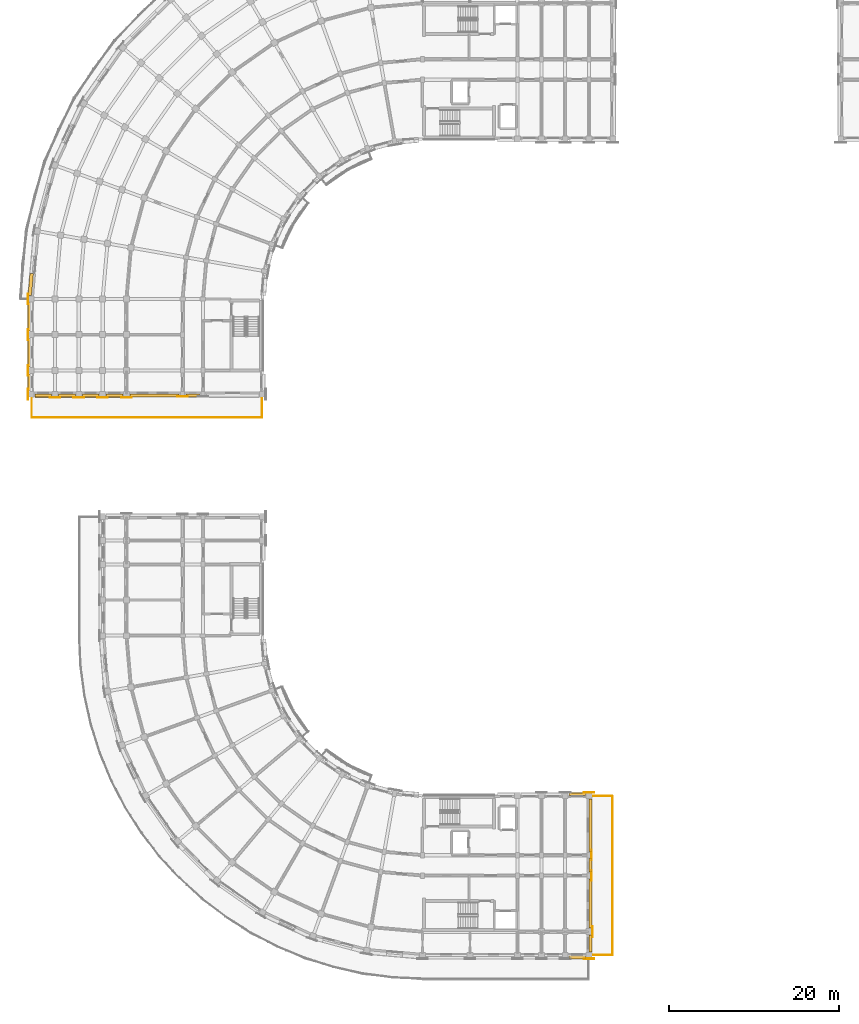
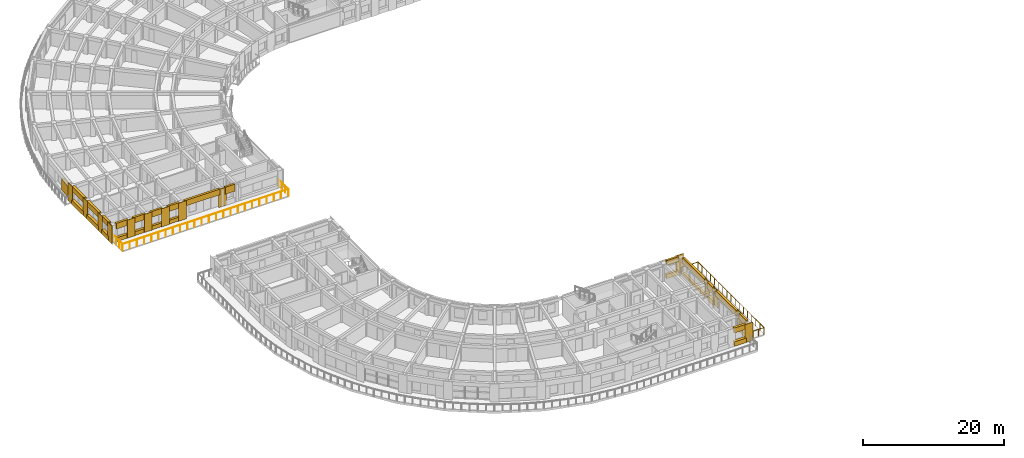
# One storey, part 43 of 54: 42 coverings, 2 railings.
"""IFC4 building model written with IfcOpenShell, lengths in metres."""

from ifc_helpers import new_model, si_unit, direction, frame, origin, origin_2d, place, context, subcontext, project, spatial, polyline, circle, outline, extrude, material, layer, layer_set, type_object, element, save


model = new_model("IFC4")

# Units and contexts
model_context = context("Model", 3, precision=1e-05, world=origin(), true_north=direction((0.0, 1.0)))
body_context = subcontext(model_context, "Body", "Model", "MODEL_VIEW")
ifc_project = project(units=[si_unit("LENGTHUNIT", "METRE"), si_unit("AREAUNIT", "SQUARE_METRE"), si_unit("VOLUMEUNIT", "CUBIC_METRE"), si_unit("PLANEANGLEUNIT", "RADIAN"), si_unit("MASSUNIT", "GRAM", prefix="KILO")], contexts=[model_context])

# Site, building, storey
site_placement = place(None, origin())
site = spatial("IfcSite", under=ifc_project, at=site_placement, CompositionType="ELEMENT")
building_placement = place(site_placement, origin())
building = spatial("IfcBuilding", under=site, at=building_placement, Name="Kiranvali Square Residences", CompositionType="ELEMENT")
storey_placement = place(building_placement, frame((0.0, 0.0, 27.60009765625)))
storey = spatial("IfcBuildingStorey", under=building, at=storey_placement, Name="L08", CompositionType="ELEMENT", Elevation=27.60009765625)

# Coverings
ifc_material_1 = material(Name="Honed Porbandar limestone ashlar facade cladding", Category="masonry")
ifc_layer_1 = layer(ifc_material_1, 0.3798828125)
ifc_layer_set_1 = layer_set([ifc_layer_1], Name="Honed Porbandar limestone ashlar facade cladding")
covering_type_1 = type_object("IfcCoveringType", Name="COV-CLAD-JAMB", PredefinedType="CLADDING", material=ifc_layer_set_1)
covering_1_placement = place(storey_placement, frame((0.0, 0.0, 0.421875)))
element("IfcCovering", 1, at=covering_1_placement, inside=storey, type_object=covering_type_1, Name="L08 deep limestone window jamb reveal A-L08-CRV-08.R", PredefinedType="CLADDING", context=body_context, shape_type="SweptSolid", body=[
    extrude(outline(polyline([(2.0517578125, 90.80859375), (1.826416015625, 88.234130859375), (2.234375, 88.198486328125), (2.45947265625, 90.77294921875), (2.0517578125, 90.80859375)])), origin(), (0.0, 0.0, 1.0), 1.85009765625),
])
ifc_layer_2 = layer(ifc_material_1, 0.06494140625)
ifc_layer_set_2 = layer_set([ifc_layer_2], Name="Honed Porbandar limestone ashlar facade cladding")
covering_type_2 = type_object("IfcCoveringType", Name="COV-CLAD-PIER", PredefinedType="CLADDING", material=ifc_layer_set_2)
covering_2_placement = place(storey_placement, frame((0.0, 0.0, 0.0048828125)))
element("IfcCovering", 2, at=covering_2_placement, inside=storey, type_object=covering_type_2, Name="L08 Classical limestone corner pilaster CLAD-PR-A-L08-A09", PredefinedType="CLADDING", context=body_context, shape_type="SweptSolid", body=[
    extrude(outline(polyline([(1.781982421875, 88.429931640625), (1.781982421875, 87.169921875), (1.849609375, 87.169921875), (1.849609375, 88.429931640625), (1.781982421875, 88.429931640625)])), origin(), (0.0, 0.0, 1.0), 3.14013671875),
])
ifc_layer_3 = layer(ifc_material_1, 0.050048828125)
ifc_layer_set_3 = layer_set([ifc_layer_3], Name="Honed Porbandar limestone ashlar facade cladding")
covering_type_3 = type_object("IfcCoveringType", Name="COV-CLAD-PIER-IN", PredefinedType="CLADDING", material=ifc_layer_set_3)
covering_3_placement = place(storey_placement, frame((0.0, 0.0, 0.0048828125)))
element("IfcCovering", 3, at=covering_3_placement, inside=storey, type_object=covering_type_3, Name="L08 Classical limestone pilaster casing CLAD-PRA1I-C-L08-U195", PredefinedType="CLADDING", context=body_context, shape_type="SweptSolid", body=[
    extrude(outline(polyline([(67.169921875, 29.75048828125), (68.429931640625, 29.75048828125), (68.429931640625, 29.818115234375), (67.169921875, 29.818115234375), (67.169921875, 29.75048828125)])), origin(), (0.0, 0.0, 1.0), 3.14013671875),
])
ifc_layer_4 = layer(ifc_material_1, 0.054931640625)
ifc_layer_set_4 = layer_set([ifc_layer_4], Name="Honed Porbandar limestone ashlar facade cladding")
covering_type_4 = type_object("IfcCoveringType", Name="COV-CLAD-PIER-UP", PredefinedType="CLADDING", material=ifc_layer_set_4)
covering_4_placement = place(storey_placement, frame((0.0, 0.0, 0.0048828125)))
element("IfcCovering", 4, at=covering_4_placement, inside=storey, type_object=covering_type_4, Name="L08 Classical limestone pilaster casing CLAD-PR-A-L08-V42", PredefinedType="CLADDING", context=body_context, shape_type="SweptSolid", body=[
    extrude(outline(polyline([(1.781982421875, 84.22998046875), (1.781982421875, 82.969970703125), (1.849609375, 82.969970703125), (1.849609375, 84.22998046875), (1.781982421875, 84.22998046875)])), origin(), (0.0, 0.0, 1.0), 3.14013671875),
])
covering_5_placement = place(storey_placement, frame((0.0, 0.0, 0.0048828125)))
element("IfcCovering", 5, at=covering_5_placement, inside=storey, type_object=covering_type_4, Name="L08 Classical limestone pilaster casing CLAD-PR-A-L08-V84", PredefinedType="CLADDING", context=body_context, shape_type="SweptSolid", body=[
    extrude(outline(polyline([(1.781982421875, 80.030029296875), (1.781982421875, 78.77001953125), (1.849609375, 78.77001953125), (1.849609375, 80.030029296875), (1.781982421875, 80.030029296875)])), origin(), (0.0, 0.0, 1.0), 3.14013671875),
])
covering_6_placement = place(storey_placement, frame((0.0, 0.0, 0.0048828125)))
element("IfcCovering", 6, at=covering_6_placement, inside=storey, type_object=covering_type_4, Name="L08 Classical limestone pilaster casing CLAD-PR-A-L08-V112", PredefinedType="CLADDING", context=body_context, shape_type="SweptSolid", body=[
    extrude(outline(polyline([(1.781982421875, 77.22998046875), (1.781982421875, 75.969970703125), (1.849609375, 75.969970703125), (1.849609375, 77.22998046875), (1.781982421875, 77.22998046875)])), origin(), (0.0, 0.0, 1.0), 3.14013671875),
])
covering_7_placement = place(storey_placement, frame((0.0, 0.0, 0.0048828125)))
element("IfcCovering", 7, at=covering_7_placement, inside=storey, type_object=covering_type_4, Name="L08 Classical limestone pilaster casing CLAD-PRA2E-A-L08-R282", PredefinedType="CLADDING", context=body_context, shape_type="SweptSolid", body=[
    extrude(outline(polyline([(20.6298828125, 76.349609375), (19.3701171875, 76.349609375), (19.3701171875, 76.281982421875), (20.6298828125, 76.281982421875), (20.6298828125, 76.349609375)])), origin(), (0.0, 0.0, 1.0), 3.14013671875),
])
covering_8_placement = place(storey_placement, frame((0.0, 0.0, 0.0048828125)))
element("IfcCovering", 8, at=covering_8_placement, inside=storey, type_object=covering_type_4, Name="L08 Classical limestone pilaster casing CLAD-PRA2E-A-L08-R348", PredefinedType="CLADDING", context=body_context, shape_type="SweptSolid", body=[
    extrude(outline(polyline([(14.030029296875, 76.24951171875), (12.77001953125, 76.24951171875), (12.77001953125, 76.181884765625), (14.030029296875, 76.181884765625), (14.030029296875, 76.24951171875)])), origin(), (0.0, 0.0, 1.0), 3.14013671875),
])
covering_9_placement = place(storey_placement, frame((0.0, 0.0, 0.0048828125)))
element("IfcCovering", 9, at=covering_9_placement, inside=storey, type_object=covering_type_4, Name="L08 Classical limestone pilaster casing CLAD-PRA2E-A-L08-R376", PredefinedType="CLADDING", context=body_context, shape_type="SweptSolid", body=[
    extrude(outline(polyline([(11.22998046875, 76.24951171875), (9.969970703125, 76.24951171875), (9.969970703125, 76.181884765625), (11.22998046875, 76.181884765625), (11.22998046875, 76.24951171875)])), origin(), (0.0, 0.0, 1.0), 3.14013671875),
])
covering_10_placement = place(storey_placement, frame((0.0, 0.0, 0.0048828125)))
element("IfcCovering", 10, at=covering_10_placement, inside=storey, type_object=covering_type_4, Name="L08 Classical limestone pilaster casing CLAD-PRA2E-A-L08-R404", PredefinedType="CLADDING", context=body_context, shape_type="SweptSolid", body=[
    extrude(outline(polyline([(8.429931640625, 76.24951171875), (7.169921875, 76.24951171875), (7.169921875, 76.181884765625), (8.429931640625, 76.181884765625), (8.429931640625, 76.24951171875)])), origin(), (0.0, 0.0, 1.0), 3.14013671875),
])
covering_11_placement = place(storey_placement, frame((0.0, 0.0, 0.0048828125)))
element("IfcCovering", 11, at=covering_11_placement, inside=storey, type_object=covering_type_4, Name="L08 Classical limestone pilaster casing CLAD-PRA2E-A-L08-R432", PredefinedType="CLADDING", context=body_context, shape_type="SweptSolid", body=[
    extrude(outline(polyline([(5.6298828125, 76.24951171875), (4.3701171875, 76.24951171875), (4.3701171875, 76.181884765625), (5.6298828125, 76.181884765625), (5.6298828125, 76.24951171875)])), origin(), (0.0, 0.0, 1.0), 3.14013671875),
])
covering_12_placement = place(storey_placement, frame((0.0, 0.0, 0.0048828125)))
element("IfcCovering", 12, at=covering_12_placement, inside=storey, type_object=covering_type_4, Name="L08 Classical limestone pilaster casing CLAD-PR-C-L08-U195", PredefinedType="CLADDING", context=body_context, shape_type="SweptSolid", body=[
    extrude(outline(polyline([(67.169921875, 10.181884765625), (68.429931640625, 10.181884765625), (68.429931640625, 10.24951171875), (67.169921875, 10.24951171875), (67.169921875, 10.181884765625)])), origin(), (0.0, 0.0, 1.0), 3.14013671875),
])
covering_13_placement = place(storey_placement, frame((0.0, 0.0, 0.0048828125)))
element("IfcCovering", 13, at=covering_13_placement, inside=storey, type_object=covering_type_4, Name="L08 Classical limestone pilaster casing CLAD-PRA1E-C-L08-R258", PredefinedType="CLADDING", context=body_context, shape_type="SweptSolid", body=[
    extrude(outline(polyline([(68.050537109375, 23.030029296875), (68.050537109375, 21.77001953125), (68.117919921875, 21.77001953125), (68.117919921875, 23.030029296875), (68.050537109375, 23.030029296875)])), origin(), (0.0, 0.0, 1.0), 3.14013671875),
])
covering_14_placement = place(storey_placement, frame((0.0, 0.0, 0.0048828125)))
element("IfcCovering", 14, at=covering_14_placement, inside=storey, type_object=covering_type_4, Name="L08 Classical limestone pilaster casing CLAD-PRA1E-C-L08-R282", PredefinedType="CLADDING", context=body_context, shape_type="SweptSolid", body=[
    extrude(outline(polyline([(68.050537109375, 20.6298828125), (68.050537109375, 19.3701171875), (68.117919921875, 19.3701171875), (68.117919921875, 20.6298828125), (68.050537109375, 20.6298828125)])), origin(), (0.0, 0.0, 1.0), 3.14013671875),
])
covering_15_placement = place(storey_placement, frame((0.0, 0.0, 0.0048828125)))
element("IfcCovering", 15, at=covering_15_placement, inside=storey, type_object=covering_type_4, Name="L08 Classical limestone pilaster casing CLAD-PRA1E-C-L08-R348", PredefinedType="CLADDING", context=body_context, shape_type="SweptSolid", body=[
    extrude(outline(polyline([(68.150390625, 14.030029296875), (68.150390625, 12.77001953125), (68.218017578125, 12.77001953125), (68.218017578125, 14.030029296875), (68.150390625, 14.030029296875)])), origin(), (0.0, 0.0, 1.0), 3.14013671875),
])
ifc_layer_5 = layer(ifc_material_1, 0.360107421875)
ifc_layer_set_5 = layer_set([ifc_layer_5], Name="Honed Porbandar limestone ashlar facade cladding")
covering_type_5 = type_object("IfcCoveringType", Name="COV-CLAD-WALL", PredefinedType="CLADDING", material=ifc_layer_set_5)
covering_16_placement = place(storey_placement, frame((0.0, 0.0, 2.27197265625)))
element("IfcCovering", 16, at=covering_16_placement, inside=storey, type_object=covering_type_5, Name="L08 light limestone spandrel lintel A-L08-A2O-0", PredefinedType="CLADDING", context=body_context, shape_type="SweptSolid", body=[
    extrude(outline(polyline([(1.800048828125, 87.3798828125), (1.800048828125, 84.02001953125), (2.199462890625, 84.02001953125), (2.199462890625, 87.3798828125), (1.800048828125, 87.3798828125)])), origin(), (0.0, 0.0, 1.0), 0.873046875),
])
covering_17_placement = place(storey_placement, frame((0.0, 0.0, 0.0048828125)))
element("IfcCovering", 17, at=covering_17_placement, inside=storey, type_object=covering_type_5, Name="L08 limestone window sill apron A-L08-A2O-0", PredefinedType="CLADDING", context=body_context, shape_type="SweptSolid", body=[
    extrude(outline(polyline([(1.77001953125, 87.3798828125), (1.77001953125, 84.02001953125), (2.199462890625, 84.02001953125), (2.199462890625, 87.3798828125), (1.77001953125, 87.3798828125)])), origin(), (0.0, 0.0, 1.0), 0.76708984375),
])
covering_18_placement = place(storey_placement, frame((0.0, 0.0, 2.27197265625)))
element("IfcCovering", 18, at=covering_18_placement, inside=storey, type_object=covering_type_5, Name="L08 light limestone spandrel lintel A-L08-A2O-1", PredefinedType="CLADDING", context=body_context, shape_type="SweptSolid", body=[
    extrude(outline(polyline([(1.800048828125, 83.179931640625), (1.800048828125, 79.820068359375), (2.199462890625, 79.820068359375), (2.199462890625, 83.179931640625), (1.800048828125, 83.179931640625)])), origin(), (0.0, 0.0, 1.0), 0.873046875),
])
covering_19_placement = place(storey_placement, frame((0.0, 0.0, 0.0048828125)))
element("IfcCovering", 19, at=covering_19_placement, inside=storey, type_object=covering_type_5, Name="L08 limestone window sill apron A-L08-A2O-1", PredefinedType="CLADDING", context=body_context, shape_type="SweptSolid", body=[
    extrude(outline(polyline([(1.77001953125, 83.179931640625), (1.77001953125, 79.820068359375), (2.199462890625, 79.820068359375), (2.199462890625, 83.179931640625), (1.77001953125, 83.179931640625)])), origin(), (0.0, 0.0, 1.0), 0.76708984375),
])
covering_20_placement = place(storey_placement, frame((0.0, 0.0, 2.27197265625)))
element("IfcCovering", 20, at=covering_20_placement, inside=storey, type_object=covering_type_5, Name="L08 light limestone spandrel lintel A-L08-A2O-2", PredefinedType="CLADDING", context=body_context, shape_type="SweptSolid", body=[
    extrude(outline(polyline([(1.800048828125, 78.97998046875), (1.800048828125, 77.02001953125), (2.199462890625, 77.02001953125), (2.199462890625, 78.97998046875), (1.800048828125, 78.97998046875)])), origin(), (0.0, 0.0, 1.0), 0.873046875),
])
covering_21_placement = place(storey_placement, frame((0.0, 0.0, 0.0048828125)))
element("IfcCovering", 21, at=covering_21_placement, inside=storey, type_object=covering_type_5, Name="L08 limestone window sill apron A-L08-A2O-2", PredefinedType="CLADDING", context=body_context, shape_type="SweptSolid", body=[
    extrude(outline(polyline([(1.77001953125, 78.97998046875), (1.77001953125, 77.02001953125), (2.199462890625, 77.02001953125), (2.199462890625, 78.97998046875), (1.77001953125, 78.97998046875)])), origin(), (0.0, 0.0, 1.0), 0.76708984375),
])
covering_22_placement = place(storey_placement, frame((0.0, 0.0, 1.929931640625)))
element("IfcCovering", 22, at=covering_22_placement, inside=storey, type_object=covering_type_5, Name="L08 light limestone spandrel lintel A-L08-A2END-1", PredefinedType="CLADDING", context=body_context, shape_type="SweptSolid", body=[
    extrude(outline(polyline([(21.97998046875, 76.599609375), (20.419921875, 76.599609375), (20.419921875, 76.260009765625), (21.97998046875, 76.260009765625), (21.97998046875, 76.599609375)])), origin(), (0.0, 0.0, 1.0), 1.215087890625),
])
covering_23_placement = place(storey_placement, frame((0.0, 0.0, 2.179931640625)))
element("IfcCovering", 23, at=covering_23_placement, inside=storey, type_object=covering_type_5, Name="L08 light limestone spandrel lintel A-L08-A2END-2", PredefinedType="CLADDING", context=body_context, shape_type="SweptSolid", body=[
    extrude(outline(polyline([(19.580078125, 76.599609375), (13.820068359375, 76.599609375), (13.820068359375, 76.260009765625), (19.580078125, 76.260009765625), (19.580078125, 76.599609375)])), origin(), (0.0, 0.0, 1.0), 0.965087890625),
])
covering_24_placement = place(storey_placement, frame((0.0, 0.0, 2.171875)))
element("IfcCovering", 24, at=covering_24_placement, inside=storey, type_object=covering_type_5, Name="L08 light limestone spandrel lintel A-L08-A2END-3", PredefinedType="CLADDING", context=body_context, shape_type="SweptSolid", body=[
    extrude(outline(polyline([(12.97998046875, 76.599609375), (11.02001953125, 76.599609375), (11.02001953125, 76.260009765625), (12.97998046875, 76.260009765625), (12.97998046875, 76.599609375)])), origin(), (0.0, 0.0, 1.0), 0.97314453125),
])
covering_25_placement = place(storey_placement, frame((0.0, 0.0, 0.0048828125)))
element("IfcCovering", 25, at=covering_25_placement, inside=storey, type_object=covering_type_5, Name="L08 limestone window sill apron A-L08-A2END-3", PredefinedType="CLADDING", context=body_context, shape_type="SweptSolid", body=[
    extrude(outline(polyline([(12.97998046875, 76.599609375), (11.02001953125, 76.599609375), (11.02001953125, 76.22998046875), (12.97998046875, 76.22998046875), (12.97998046875, 76.599609375)])), origin(), (0.0, 0.0, 1.0), 0.6669921875),
])
covering_26_placement = place(storey_placement, frame((0.0, 0.0, 2.171875)))
element("IfcCovering", 26, at=covering_26_placement, inside=storey, type_object=covering_type_5, Name="L08 light limestone spandrel lintel A-L08-A2END-4", PredefinedType="CLADDING", context=body_context, shape_type="SweptSolid", body=[
    extrude(outline(polyline([(10.179931640625, 76.599609375), (8.219970703125, 76.599609375), (8.219970703125, 76.260009765625), (10.179931640625, 76.260009765625), (10.179931640625, 76.599609375)])), origin(), (0.0, 0.0, 1.0), 0.97314453125),
])
covering_27_placement = place(storey_placement, frame((0.0, 0.0, 0.0048828125)))
element("IfcCovering", 27, at=covering_27_placement, inside=storey, type_object=covering_type_5, Name="L08 limestone window sill apron A-L08-A2END-4", PredefinedType="CLADDING", context=body_context, shape_type="SweptSolid", body=[
    extrude(outline(polyline([(10.179931640625, 76.599609375), (8.219970703125, 76.599609375), (8.219970703125, 76.22998046875), (10.179931640625, 76.22998046875), (10.179931640625, 76.599609375)])), origin(), (0.0, 0.0, 1.0), 0.6669921875),
])
covering_28_placement = place(storey_placement, frame((0.0, 0.0, 2.171875)))
element("IfcCovering", 28, at=covering_28_placement, inside=storey, type_object=covering_type_5, Name="L08 light limestone spandrel lintel A-L08-A2END-5", PredefinedType="CLADDING", context=body_context, shape_type="SweptSolid", body=[
    extrude(outline(polyline([(7.3798828125, 76.599609375), (5.419921875, 76.599609375), (5.419921875, 76.260009765625), (7.3798828125, 76.260009765625), (7.3798828125, 76.599609375)])), origin(), (0.0, 0.0, 1.0), 0.97314453125),
])
covering_29_placement = place(storey_placement, frame((0.0, 0.0, 0.0048828125)))
element("IfcCovering", 29, at=covering_29_placement, inside=storey, type_object=covering_type_5, Name="L08 limestone window sill apron A-L08-A2END-5", PredefinedType="CLADDING", context=body_context, shape_type="SweptSolid", body=[
    extrude(outline(polyline([(7.3798828125, 76.599609375), (5.419921875, 76.599609375), (5.419921875, 76.22998046875), (7.3798828125, 76.22998046875), (7.3798828125, 76.599609375)])), origin(), (0.0, 0.0, 1.0), 0.6669921875),
])
covering_30_placement = place(storey_placement, frame((0.0, 0.0, 2.171875)))
element("IfcCovering", 30, at=covering_30_placement, inside=storey, type_object=covering_type_5, Name="L08 light limestone spandrel lintel A-L08-A2END-6", PredefinedType="CLADDING", context=body_context, shape_type="SweptSolid", body=[
    extrude(outline(polyline([(4.580078125, 76.599609375), (2.6201171875, 76.599609375), (2.6201171875, 76.260009765625), (4.580078125, 76.260009765625), (4.580078125, 76.599609375)])), origin(), (0.0, 0.0, 1.0), 0.97314453125),
])
covering_31_placement = place(storey_placement, frame((0.0, 0.0, 0.0048828125)))
element("IfcCovering", 31, at=covering_31_placement, inside=storey, type_object=covering_type_5, Name="L08 limestone window sill apron A-L08-A2END-6", PredefinedType="CLADDING", context=body_context, shape_type="SweptSolid", body=[
    extrude(outline(polyline([(4.580078125, 76.599609375), (2.6201171875, 76.599609375), (2.6201171875, 76.22998046875), (4.580078125, 76.22998046875), (4.580078125, 76.599609375)])), origin(), (0.0, 0.0, 1.0), 0.6669921875),
])
covering_32_placement = place(storey_placement, frame((0.0, 0.0, 2.27978515625)))
element("IfcCovering", 32, at=covering_32_placement, inside=storey, type_object=covering_type_5, Name="L08 light limestone spandrel lintel C-L08-A1O-4", PredefinedType="CLADDING", context=body_context, shape_type="SweptSolid", body=[
    extrude(outline(polyline([(65.43994140625, 10.199951171875), (67.360107421875, 10.199951171875), (67.360107421875, 10.599609375), (65.43994140625, 10.599609375), (65.43994140625, 10.199951171875)])), origin(), (0.0, 0.0, 1.0), 0.865234375),
])
covering_33_placement = place(storey_placement, frame((0.0, 0.0, 0.0048828125)))
element("IfcCovering", 33, at=covering_33_placement, inside=storey, type_object=covering_type_5, Name="L08 limestone window sill apron C-L08-A1O-4", PredefinedType="CLADDING", context=body_context, shape_type="SweptSolid", body=[
    extrude(outline(polyline([(65.43994140625, 10.169921875), (67.360107421875, 10.169921875), (67.360107421875, 10.599609375), (65.43994140625, 10.599609375), (65.43994140625, 10.169921875)])), origin(), (0.0, 0.0, 1.0), 0.77490234375),
])
covering_34_placement = place(storey_placement, frame((0.0, 0.0, 2.27197265625)))
element("IfcCovering", 34, at=covering_34_placement, inside=storey, type_object=covering_type_5, Name="L08 light limestone spandrel lintel C-L08-A1I-2", PredefinedType="CLADDING", context=body_context, shape_type="SweptSolid", body=[
    extrude(outline(polyline([(65.419921875, 29.400390625), (67.3798828125, 29.400390625), (67.3798828125, 29.719970703125), (65.419921875, 29.719970703125), (65.419921875, 29.400390625)])), origin(), (0.0, 0.0, 1.0), 0.873046875),
])
covering_35_placement = place(storey_placement, frame((0.0, 0.0, 0.0048828125)))
element("IfcCovering", 35, at=covering_35_placement, inside=storey, type_object=covering_type_5, Name="L08 limestone window sill apron C-L08-A1I-2", PredefinedType="CLADDING", context=body_context, shape_type="SweptSolid", body=[
    extrude(outline(polyline([(65.419921875, 29.400390625), (67.3798828125, 29.400390625), (67.3798828125, 29.75), (65.419921875, 29.75), (65.419921875, 29.400390625)])), origin(), (0.0, 0.0, 1.0), 0.76708984375),
])
covering_36_placement = place(storey_placement, frame((0.0, 0.0, 2.171875)))
element("IfcCovering", 36, at=covering_36_placement, inside=storey, type_object=covering_type_5, Name="L08 light limestone spandrel lintel C-L08-A1END-0", PredefinedType="CLADDING", context=body_context, shape_type="SweptSolid", body=[
    extrude(outline(polyline([(67.800537109375, 28.97998046875), (67.800537109375, 22.820068359375), (68.139892578125, 22.820068359375), (68.139892578125, 28.97998046875), (67.800537109375, 28.97998046875)])), origin(), (0.0, 0.0, 1.0), 0.97314453125),
])
covering_37_placement = place(storey_placement, frame((0.0, 0.0, 0.0048828125)))
element("IfcCovering", 37, at=covering_37_placement, inside=storey, type_object=covering_type_5, Name="L08 limestone window sill apron C-L08-A1END-0", PredefinedType="CLADDING", context=body_context, shape_type="SweptSolid", body=[
    extrude(outline(polyline([(67.800537109375, 28.97998046875), (67.800537109375, 22.820068359375), (68.169921875, 22.820068359375), (68.169921875, 28.97998046875), (67.800537109375, 28.97998046875)])), origin(), (0.0, 0.0, 1.0), 0.51708984375),
])
covering_38_placement = place(storey_placement, frame((0.0, 0.0, 1.929931640625)))
element("IfcCovering", 38, at=covering_38_placement, inside=storey, type_object=covering_type_5, Name="L08 light limestone spandrel lintel C-L08-A1END-1", PredefinedType="CLADDING", context=body_context, shape_type="SweptSolid", body=[
    extrude(outline(polyline([(67.800537109375, 21.97998046875), (67.800537109375, 20.419921875), (68.139892578125, 20.419921875), (68.139892578125, 21.97998046875), (67.800537109375, 21.97998046875)])), origin(), (0.0, 0.0, 1.0), 1.215087890625),
])
covering_39_placement = place(storey_placement, frame((0.0, 0.0, 0.0048828125)))
element("IfcCovering", 39, at=covering_39_placement, inside=storey, type_object=covering_type_5, Name="L08 limestone window sill apron C-L08-A1END-1", PredefinedType="CLADDING", context=body_context, shape_type="SweptSolid", body=[
    extrude(outline(polyline([(67.800537109375, 21.97998046875), (67.800537109375, 20.419921875), (68.169921875, 20.419921875), (68.169921875, 21.97998046875), (67.800537109375, 21.97998046875)])), origin(), (0.0, 0.0, 1.0), 0.875),
])
covering_40_placement = place(storey_placement, frame((0.0, 0.0, 2.179931640625)))
element("IfcCovering", 40, at=covering_40_placement, inside=storey, type_object=covering_type_5, Name="L08 light limestone spandrel lintel C-L08-A1END-2", PredefinedType="CLADDING", context=body_context, shape_type="SweptSolid", body=[
    extrude(outline(polyline([(67.800537109375, 19.580078125), (67.800537109375, 13.820068359375), (68.139892578125, 13.820068359375), (68.139892578125, 19.580078125), (67.800537109375, 19.580078125)])), origin(), (0.0, 0.0, 1.0), 0.965087890625),
])
covering_41_placement = place(storey_placement, frame((0.0, 0.0, 2.2119140625)))
element("IfcCovering", 41, at=covering_41_placement, inside=storey, type_object=covering_type_5, Name="L08 light limestone spandrel lintel C-L08-A1END-3", PredefinedType="CLADDING", context=body_context, shape_type="SweptSolid", body=[
    extrude(outline(polyline([(67.800537109375, 12.97998046875), (67.800537109375, 11.02001953125), (68.139892578125, 11.02001953125), (68.139892578125, 12.97998046875), (67.800537109375, 12.97998046875)])), origin(), (0.0, 0.0, 1.0), 0.93310546875),
])
covering_42_placement = place(storey_placement, frame((0.0, 0.0, 0.0048828125)))
element("IfcCovering", 42, at=covering_42_placement, inside=storey, type_object=covering_type_5, Name="L08 limestone window sill apron C-L08-A1END-3", PredefinedType="CLADDING", context=body_context, shape_type="SweptSolid", body=[
    extrude(outline(polyline([(67.800537109375, 12.97998046875), (67.800537109375, 11.02001953125), (68.169921875, 11.02001953125), (68.169921875, 12.97998046875), (67.800537109375, 12.97998046875)])), origin(), (0.0, 0.0, 1.0), 0.70703125),
])

# Railings
ifc_material_2 = material(Name="Powder-coated architectural bronze balustrade", Category="steel")
railing_type = type_object("IfcRailingType", Name="RL-TER-GOLD-1200", PredefinedType="BALUSTRADE", material=ifc_material_2)
railing_1_placement = place(storey_placement, frame((29.340087890625, 76.56005859375, 0.0)))
element("IfcRailing", 43, at=railing_1_placement, inside=storey, type_object=railing_type, Name="Block A L08 high-rise refuge terrace balustrade", PredefinedType="BALUSTRADE", context=body_context, shape_type="SweptSolid", body=[
    extrude(circle(Radius=0.02392578125, at=origin_2d()), frame((0.0, 0.0, 1.17578125), z_axis=(0.0, -1.0, 0.0), x_axis=(1.0, 0.0, 0.0)), (0.0, 0.0, 1.0), 2.699951171875),
    extrude(circle(Radius=0.02392578125, at=origin_2d()), frame((0.0, -2.699951171875, 1.17578125), z_axis=(-1.0, 0.0, 0.0), x_axis=(0.0, -1.0, 0.0)), (0.0, 0.0, 1.0), 27.080078125),
    extrude(circle(Radius=0.02392578125, at=origin_2d()), frame((-27.080078125, -2.699951171875, 1.17578125), z_axis=(0.0, 1.0, 0.0), x_axis=(-1.0, 0.0, 0.0)), (0.0, 0.0, 1.0), 2.699951171875),
    extrude(circle(Radius=0.02099609375, at=origin_2d()), origin(), (0.0, 0.0, 1.0), 1.15185546875),
    extrude(circle(Radius=0.02099609375, at=origin_2d()), frame((0.0, -0.89990234375, 0.0)), (0.0, 0.0, 1.0), 1.15185546875),
    extrude(circle(Radius=0.02099609375, at=origin_2d()), frame((0.0, -1.800048828125, 0.0)), (0.0, 0.0, 1.0), 1.15185546875),
    extrude(circle(Radius=0.02099609375, at=origin_2d()), frame((0.0, -2.699951171875, 0.0)), (0.0, 0.0, 1.0), 1.15185546875),
    extrude(circle(Radius=0.02099609375, at=origin_2d()), frame((-1.177490234375, -2.699951171875, 0.0)), (0.0, 0.0, 1.0), 1.15185546875),
    extrude(circle(Radius=0.02099609375, at=origin_2d()), frame((-2.354736328125, -2.699951171875, 0.0)), (0.0, 0.0, 1.0), 1.15185546875),
    extrude(circle(Radius=0.02099609375, at=origin_2d()), frame((-3.5322265625, -2.699951171875, 0.0)), (0.0, 0.0, 1.0), 1.15185546875),
    extrude(circle(Radius=0.02099609375, at=origin_2d()), frame((-4.70947265625, -2.699951171875, 0.0)), (0.0, 0.0, 1.0), 1.15185546875),
    extrude(circle(Radius=0.02099609375, at=origin_2d()), frame((-5.886962890625, -2.699951171875, 0.0)), (0.0, 0.0, 1.0), 1.15185546875),
    extrude(circle(Radius=0.02099609375, at=origin_2d()), frame((-7.064453125, -2.699951171875, 0.0)), (0.0, 0.0, 1.0), 1.15185546875),
    extrude(circle(Radius=0.02099609375, at=origin_2d()), frame((-8.24169921875, -2.699951171875, 0.0)), (0.0, 0.0, 1.0), 1.15185546875),
    extrude(circle(Radius=0.02099609375, at=origin_2d()), frame((-9.419189453125, -2.699951171875, 0.0)), (0.0, 0.0, 1.0), 1.15185546875),
    extrude(circle(Radius=0.02099609375, at=origin_2d()), frame((-10.596435546875, -2.699951171875, 0.0)), (0.0, 0.0, 1.0), 1.15185546875),
    extrude(circle(Radius=0.02099609375, at=origin_2d()), frame((-11.77392578125, -2.699951171875, 0.0)), (0.0, 0.0, 1.0), 1.15185546875),
    extrude(circle(Radius=0.02099609375, at=origin_2d()), frame((-12.951416015625, -2.699951171875, 0.0)), (0.0, 0.0, 1.0), 1.15185546875),
    extrude(circle(Radius=0.02099609375, at=origin_2d()), frame((-14.128662109375, -2.699951171875, 0.0)), (0.0, 0.0, 1.0), 1.15185546875),
    extrude(circle(Radius=0.02099609375, at=origin_2d()), frame((-15.30615234375, -2.699951171875, 0.0)), (0.0, 0.0, 1.0), 1.15185546875),
    extrude(circle(Radius=0.02099609375, at=origin_2d()), frame((-16.483642578125, -2.699951171875, 0.0)), (0.0, 0.0, 1.0), 1.15185546875),
    extrude(circle(Radius=0.02099609375, at=origin_2d()), frame((-17.660888671875, -2.699951171875, 0.0)), (0.0, 0.0, 1.0), 1.15185546875),
    extrude(circle(Radius=0.02099609375, at=origin_2d()), frame((-18.83837890625, -2.699951171875, 0.0)), (0.0, 0.0, 1.0), 1.15185546875),
    extrude(circle(Radius=0.02099609375, at=origin_2d()), frame((-20.015625, -2.699951171875, 0.0)), (0.0, 0.0, 1.0), 1.15185546875),
    extrude(circle(Radius=0.02099609375, at=origin_2d()), frame((-21.193115234375, -2.699951171875, 0.0)), (0.0, 0.0, 1.0), 1.15185546875),
    extrude(circle(Radius=0.02099609375, at=origin_2d()), frame((-22.37060546875, -2.699951171875, 0.0)), (0.0, 0.0, 1.0), 1.15185546875),
    extrude(circle(Radius=0.02099609375, at=origin_2d()), frame((-23.5478515625, -2.699951171875, 0.0)), (0.0, 0.0, 1.0), 1.15185546875),
    extrude(circle(Radius=0.02099609375, at=origin_2d()), frame((-24.725341796875, -2.699951171875, 0.0)), (0.0, 0.0, 1.0), 1.15185546875),
    extrude(circle(Radius=0.02099609375, at=origin_2d()), frame((-25.902587890625, -2.699951171875, 0.0)), (0.0, 0.0, 1.0), 1.15185546875),
    extrude(circle(Radius=0.02099609375, at=origin_2d()), frame((-27.080078125, -2.699951171875, 0.0)), (0.0, 0.0, 1.0), 1.15185546875),
    extrude(circle(Radius=0.02099609375, at=origin_2d()), frame((-27.080078125, -1.800048828125, 0.0)), (0.0, 0.0, 1.0), 1.15185546875),
    extrude(circle(Radius=0.02099609375, at=origin_2d()), frame((-27.080078125, -0.89990234375, 0.0)), (0.0, 0.0, 1.0), 1.15185546875),
    extrude(circle(Radius=0.02099609375, at=origin_2d()), frame((-27.080078125, 0.0, 0.0)), (0.0, 0.0, 1.0), 1.15185546875),
])
railing_2_placement = place(storey_placement, frame((67.840087890625, 29.340087890625, 0.0)))
element("IfcRailing", 44, at=railing_2_placement, inside=storey, type_object=railing_type, Name="Block C L08 wing-end terrace balustrade", PredefinedType="BALUSTRADE", context=body_context, shape_type="SweptSolid", body=[
    extrude(circle(Radius=0.02392578125, at=origin_2d()), frame((0.0, 0.0, 1.17578125), z_axis=(1.0, 0.0, 0.0), x_axis=(0.0, 1.0, 0.0)), (0.0, 0.0, 1.0), 2.699951171875),
    extrude(circle(Radius=0.02392578125, at=origin_2d()), frame((2.699951171875, 0.0, 1.17578125), z_axis=(0.0, -1.0, 0.0), x_axis=(1.0, 0.0, 0.0)), (0.0, 0.0, 1.0), 18.68017578125),
    extrude(circle(Radius=0.02392578125, at=origin_2d()), frame((2.699951171875, -18.68017578125, 1.17578125), z_axis=(-1.0, 0.0, 0.0), x_axis=(0.0, -1.0, 0.0)), (0.0, 0.0, 1.0), 2.699951171875),
    extrude(circle(Radius=0.02099609375, at=origin_2d()), origin(), (0.0, 0.0, 1.0), 1.15185546875),
    extrude(circle(Radius=0.02099609375, at=origin_2d()), frame((0.89990234375, 0.0, 0.0)), (0.0, 0.0, 1.0), 1.15185546875),
    extrude(circle(Radius=0.02099609375, at=origin_2d()), frame((1.800048828125, 0.0, 0.0)), (0.0, 0.0, 1.0), 1.15185546875),
    extrude(circle(Radius=0.02099609375, at=origin_2d()), frame((2.699951171875, 0.0, 0.0)), (0.0, 0.0, 1.0), 1.15185546875),
    extrude(circle(Radius=0.02099609375, at=origin_2d()), frame((2.699951171875, -1.16748046875, 0.0)), (0.0, 0.0, 1.0), 1.15185546875),
    extrude(circle(Radius=0.02099609375, at=origin_2d()), frame((2.699951171875, -2.3349609375, 0.0)), (0.0, 0.0, 1.0), 1.15185546875),
    extrude(circle(Radius=0.02099609375, at=origin_2d()), frame((2.699951171875, -3.50244140625, 0.0)), (0.0, 0.0, 1.0), 1.15185546875),
    extrude(circle(Radius=0.02099609375, at=origin_2d()), frame((2.699951171875, -4.669921875, 0.0)), (0.0, 0.0, 1.0), 1.15185546875),
    extrude(circle(Radius=0.02099609375, at=origin_2d()), frame((2.699951171875, -5.837646484375, 0.0)), (0.0, 0.0, 1.0), 1.15185546875),
    extrude(circle(Radius=0.02099609375, at=origin_2d()), frame((2.699951171875, -7.005126953125, 0.0)), (0.0, 0.0, 1.0), 1.15185546875),
    extrude(circle(Radius=0.02099609375, at=origin_2d()), frame((2.699951171875, -8.172607421875, 0.0)), (0.0, 0.0, 1.0), 1.15185546875),
    extrude(circle(Radius=0.02099609375, at=origin_2d()), frame((2.699951171875, -9.340087890625, 0.0)), (0.0, 0.0, 1.0), 1.15185546875),
    extrude(circle(Radius=0.02099609375, at=origin_2d()), frame((2.699951171875, -10.507568359375, 0.0)), (0.0, 0.0, 1.0), 1.15185546875),
    extrude(circle(Radius=0.02099609375, at=origin_2d()), frame((2.699951171875, -11.675048828125, 0.0)), (0.0, 0.0, 1.0), 1.15185546875),
    extrude(circle(Radius=0.02099609375, at=origin_2d()), frame((2.699951171875, -12.842529296875, 0.0)), (0.0, 0.0, 1.0), 1.15185546875),
    extrude(circle(Radius=0.02099609375, at=origin_2d()), frame((2.699951171875, -14.01025390625, 0.0)), (0.0, 0.0, 1.0), 1.15185546875),
    extrude(circle(Radius=0.02099609375, at=origin_2d()), frame((2.699951171875, -15.177734375, 0.0)), (0.0, 0.0, 1.0), 1.15185546875),
    extrude(circle(Radius=0.02099609375, at=origin_2d()), frame((2.699951171875, -16.34521484375, 0.0)), (0.0, 0.0, 1.0), 1.15185546875),
    extrude(circle(Radius=0.02099609375, at=origin_2d()), frame((2.699951171875, -17.5126953125, 0.0)), (0.0, 0.0, 1.0), 1.15185546875),
    extrude(circle(Radius=0.02099609375, at=origin_2d()), frame((2.699951171875, -18.68017578125, 0.0)), (0.0, 0.0, 1.0), 1.15185546875),
    extrude(circle(Radius=0.02099609375, at=origin_2d()), frame((1.800048828125, -18.68017578125, 0.0)), (0.0, 0.0, 1.0), 1.15185546875),
    extrude(circle(Radius=0.02099609375, at=origin_2d()), frame((0.89990234375, -18.68017578125, 0.0)), (0.0, 0.0, 1.0), 1.15185546875),
    extrude(circle(Radius=0.02099609375, at=origin_2d()), frame((0.0, -18.68017578125, 0.0)), (0.0, 0.0, 1.0), 1.15185546875),
])

save(model, "model.ifc")
